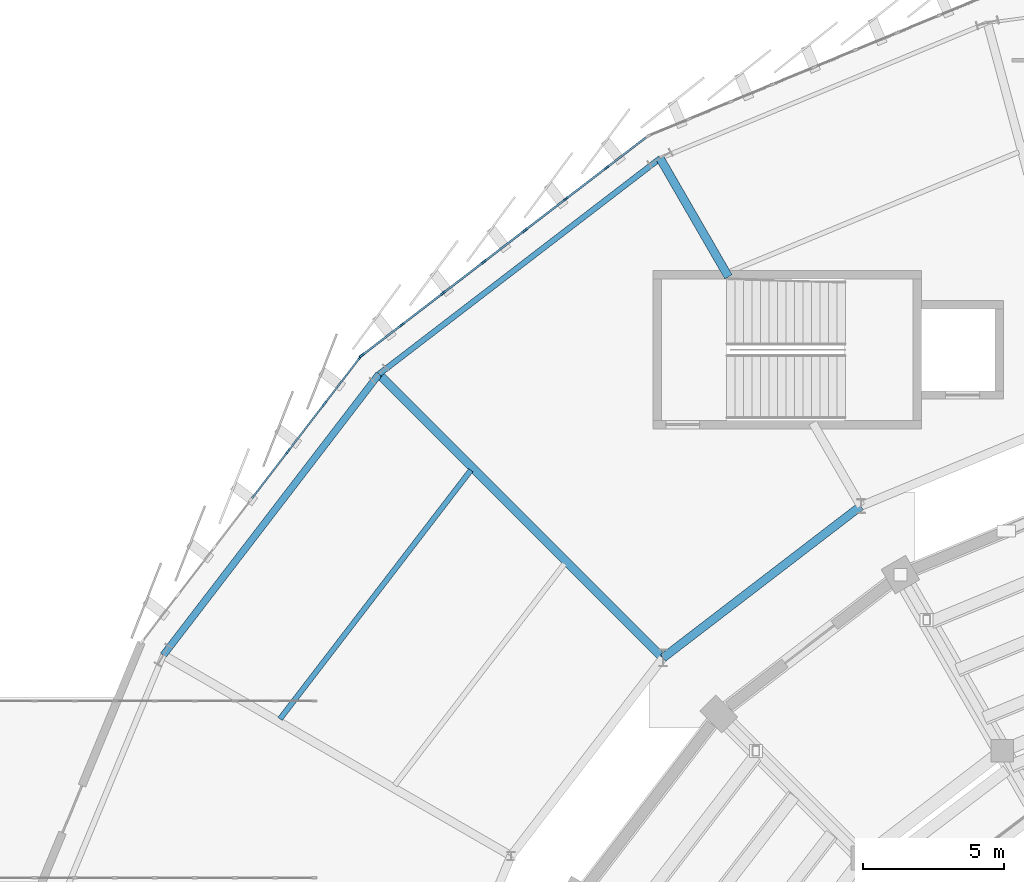
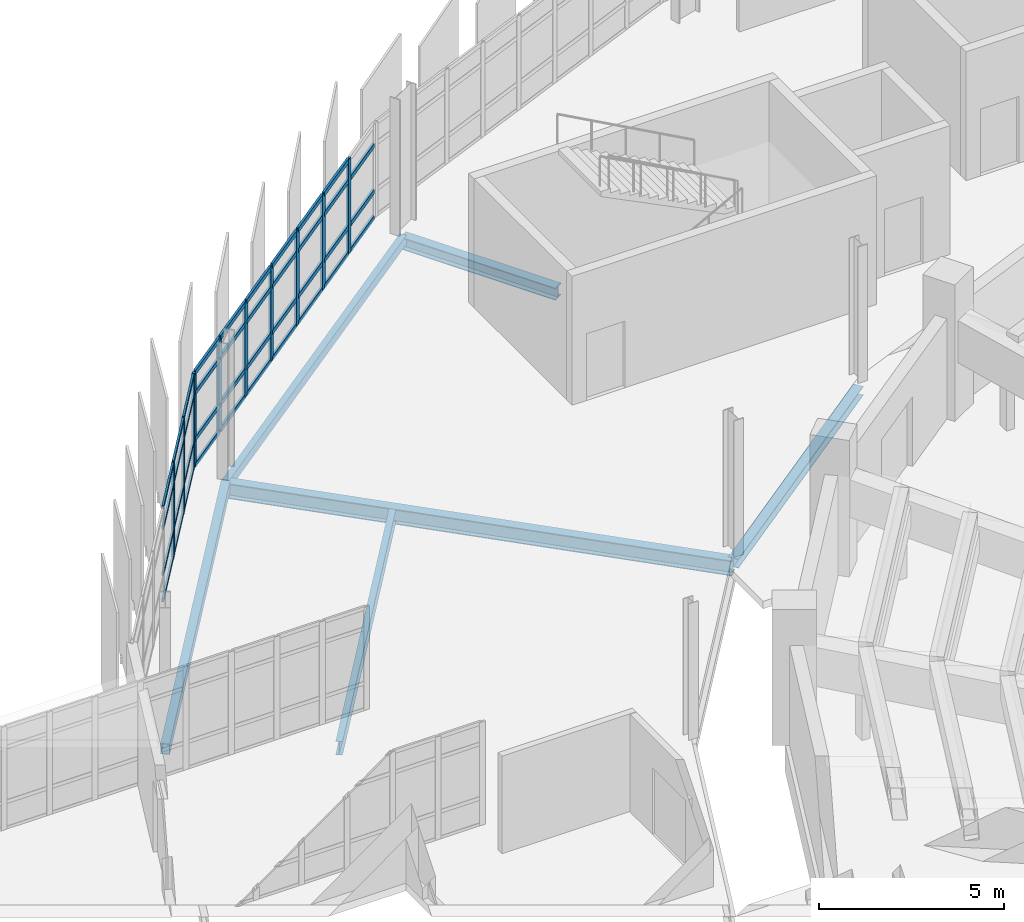
# One storey, part 47 of 120: 49 members, 6 beams, 2 elements without a shape of their own.
"""IFC4 building model written with IfcOpenShell, lengths in metres."""

from ifc_helpers import new_model, si_unit, direction, frame, origin, origin_2d, place, context, subcontext, project, spatial, rectangle, hollow_rectangle, i_section, extrude, material, layer, layer_set, material_profile, profile_set, type_object, element, aggregate, save


model = new_model("IFC4")

# Units and contexts
model_context = context("Model", 3, precision=1e-05, world=origin(), true_north=direction((0.0, 1.0)))
body_context = subcontext(model_context, "Body", "Model", "MODEL_VIEW")
ifc_project = project(units=[si_unit("LENGTHUNIT", "METRE"), si_unit("AREAUNIT", "SQUARE_METRE"), si_unit("VOLUMEUNIT", "CUBIC_METRE"), si_unit("PLANEANGLEUNIT", "RADIAN"), si_unit("MASSUNIT", "GRAM", prefix="KILO")], contexts=[model_context])

# Site, building, storey
site_placement = place(None, origin())
site = spatial("IfcSite", under=ifc_project, at=site_placement, CompositionType="ELEMENT")
building_placement = place(site_placement, origin())
building = spatial("IfcBuilding", under=site, at=building_placement, Name="Sohan Crest Arena", CompositionType="ELEMENT")
storey_placement = place(building_placement, frame((0.0, 0.0, 13.5)))
storey = spatial("IfcBuildingStorey", under=building, at=storey_placement, Name="L03", CompositionType="ELEMENT", Elevation=13.5)

# Curtain wall, members
ifc_material_1 = material(Name="Thermally broken anodised aluminium", Category="aluminium")
ifc_layer_1 = layer(ifc_material_1, 0.219970703125, Name="Thermally broken anodised aluminium")
ifc_layer_set_1 = layer_set([ifc_layer_1], Name="Thermally broken anodised aluminium")
curtain_wall_type_1 = type_object("IfcCurtainWallType", Name="ARC-CW03", PredefinedType="NOTDEFINED", material=ifc_layer_set_1)
curtain_wall_1_placement = place(storey_placement, origin())
curtain_wall_1 = element("IfcCurtainWall", 1, at=curtain_wall_1_placement, inside=storey, type_object=curtain_wall_type_1, Name="Unitised curtain wall CW-082", PredefinedType="NOTDEFINED")
ifc_material_profile_1 = material_profile(ifc_material_1, rectangle(XDim=0.070068359375, YDim=0.199951171875, at=origin_2d()), Name="ALU-MULL 70x200")
ifc_profile_set_1 = profile_set([ifc_material_profile_1], Name="Thermally broken anodised aluminium")
member_type_1 = type_object("IfcMemberType", Name="ARC-CW-ML03", PredefinedType="MULLION", material=ifc_profile_set_1)
member_1_placement = place(storey_placement, frame((72.10302734375, 119.23876953125, 0.0), z_axis=(0.0, 0.0, 1.0), x_axis=(0.608737381249, -0.793371792207, 0.0)))
member_1 = element("IfcMember", 2, at=member_1_placement, type_object=member_type_1, Name="CW-082 mullion 2", PredefinedType="MULLION", context=body_context, shape_type="SweptSolid", body=[
    extrude(rectangle(XDim=0.070068359375, YDim=0.199951171875, at=origin_2d()), origin(), (0.0, 0.0, 1.0), 3.1201171875),
])
member_2_placement = place(storey_placement, frame((70.65625, 118.128662109375, 0.0), z_axis=(0.0, 0.0, 1.0), x_axis=(0.608737381249, -0.793371792207, 0.0)))
member_2 = element("IfcMember", 3, at=member_2_placement, type_object=member_type_1, Name="CW-082 mullion 3", PredefinedType="MULLION", context=body_context, shape_type="SweptSolid", body=[
    extrude(rectangle(XDim=0.070068359375, YDim=0.199951171875, at=origin_2d()), origin(), (0.0, 0.0, 1.0), 3.1201171875),
])
member_3_placement = place(storey_placement, frame((69.20947265625, 117.0185546875, 0.0), z_axis=(0.0, 0.0, 1.0), x_axis=(0.608737381249, -0.793371792207, 0.0)))
member_3 = element("IfcMember", 4, at=member_3_placement, type_object=member_type_1, Name="CW-082 mullion 4", PredefinedType="MULLION", context=body_context, shape_type="SweptSolid", body=[
    extrude(rectangle(XDim=0.070068359375, YDim=0.199951171875, at=origin_2d()), origin(), (0.0, 0.0, 1.0), 3.1201171875),
])
member_4_placement = place(storey_placement, frame((67.762451171875, 115.908447265625, 0.0), z_axis=(0.0, 0.0, 1.0), x_axis=(0.608737381249, -0.793371792207, 0.0)))
member_4 = element("IfcMember", 5, at=member_4_placement, type_object=member_type_1, Name="CW-082 mullion 5", PredefinedType="MULLION", context=body_context, shape_type="SweptSolid", body=[
    extrude(rectangle(XDim=0.070068359375, YDim=0.199951171875, at=origin_2d()), origin(), (0.0, 0.0, 1.0), 3.1201171875),
])
member_5_placement = place(storey_placement, frame((66.315673828125, 114.79833984375, 0.0), z_axis=(0.0, 0.0, 1.0), x_axis=(0.608737381249, -0.793371792207, 0.0)))
member_5 = element("IfcMember", 6, at=member_5_placement, type_object=member_type_1, Name="CW-082 mullion 6", PredefinedType="MULLION", context=body_context, shape_type="SweptSolid", body=[
    extrude(rectangle(XDim=0.070068359375, YDim=0.199951171875, at=origin_2d()), origin(), (0.0, 0.0, 1.0), 3.1201171875),
])
member_6_placement = place(storey_placement, frame((64.868896484375, 113.688232421875, 0.0), z_axis=(0.0, 0.0, 1.0), x_axis=(0.608737381249, -0.793371792207, 0.0)))
member_6 = element("IfcMember", 7, at=member_6_placement, type_object=member_type_1, Name="CW-082 mullion 7", PredefinedType="MULLION", context=body_context, shape_type="SweptSolid", body=[
    extrude(rectangle(XDim=0.070068359375, YDim=0.199951171875, at=origin_2d()), origin(), (0.0, 0.0, 1.0), 3.1201171875),
])
member_7_placement = place(storey_placement, frame((63.44970703125, 112.599365234375, 0.0), z_axis=(0.0, 0.0, 1.0), x_axis=(0.608737381249, -0.793371792207, 0.0)))
member_7 = element("IfcMember", 8, at=member_7_placement, type_object=member_type_1, Name="CW-082 mullion 8", PredefinedType="MULLION", context=body_context, shape_type="SweptSolid", body=[
    extrude(rectangle(XDim=0.070068359375, YDim=0.199951171875, at=origin_2d()), origin(), (0.0, 0.0, 1.0), 3.1201171875),
])

ifc_layer_2 = layer(ifc_material_1, 0.239990234375, Name="Thermally broken anodised aluminium")
ifc_layer_set_2 = layer_set([ifc_layer_2], Name="Thermally broken anodised aluminium")
curtain_wall_type_2 = type_object("IfcCurtainWallType", Name="ARC-CW04", PredefinedType="NOTDEFINED", material=ifc_layer_set_2)
curtain_wall_2_placement = place(storey_placement, origin())
curtain_wall_2 = element("IfcCurtainWall", 9, at=curtain_wall_2_placement, inside=storey, type_object=curtain_wall_type_2, Name="Unitised curtain wall CW-083", PredefinedType="NOTDEFINED")
ifc_material_profile_2 = material_profile(ifc_material_1, rectangle(XDim=0.074951171875, YDim=0.219970703125, at=origin_2d()), Name="ALU-MULL 75x220")
ifc_profile_set_2 = profile_set([ifc_material_profile_2], Name="Thermally broken anodised aluminium")
member_type_2 = type_object("IfcMemberType", Name="ARC-CW-ML04", PredefinedType="MULLION", material=ifc_profile_set_2)
member_8_placement = place(storey_placement, frame((63.399169921875, 112.54833984375, 0.0), z_axis=(0.0, 0.0, 1.0), x_axis=(0.793371792207, -0.608737381249, 0.0)))
member_8 = element("IfcMember", 10, at=member_8_placement, type_object=member_type_2, Name="CW-083 mullion 1", PredefinedType="MULLION", context=body_context, shape_type="SweptSolid", body=[
    extrude(rectangle(XDim=0.074951171875, YDim=0.219970703125, at=origin_2d()), origin(), (0.0, 0.0, 1.0), 3.1201171875),
])
member_9_placement = place(storey_placement, frame((62.126953125, 110.889892578125, 0.0), z_axis=(0.0, 0.0, 1.0), x_axis=(0.793371792207, -0.608737381249, 0.0)))
member_9 = element("IfcMember", 11, at=member_9_placement, type_object=member_type_2, Name="CW-083 mullion 2", PredefinedType="MULLION", context=body_context, shape_type="SweptSolid", body=[
    extrude(rectangle(XDim=0.074951171875, YDim=0.219970703125, at=origin_2d()), origin(), (0.0, 0.0, 1.0), 3.1201171875),
])
member_10_placement = place(storey_placement, frame((60.831787109375, 109.201904296875, 0.0), z_axis=(0.0, 0.0, 1.0), x_axis=(0.793371792207, -0.608737381249, 0.0)))
member_10 = element("IfcMember", 12, at=member_10_placement, type_object=member_type_2, Name="CW-083 mullion 3", PredefinedType="MULLION", context=body_context, shape_type="SweptSolid", body=[
    extrude(rectangle(XDim=0.074951171875, YDim=0.219970703125, at=origin_2d()), origin(), (0.0, 0.0, 1.0), 3.1201171875),
])
ifc_material_profile_3 = material_profile(ifc_material_1, rectangle(XDim=0.06005859375, YDim=0.1201171875, at=origin_2d()), Name="ALU-TRAN 60x120")
ifc_profile_set_3 = profile_set([ifc_material_profile_3], Name="Thermally broken anodised aluminium")
member_type_3 = type_object("IfcMemberType", Name="ARC-CW-TR01", PredefinedType="USERDEFINED", material=ifc_profile_set_3)
member_11_placement = place(storey_placement, frame((63.37646484375, 112.5185546875, 0.030029296875), z_axis=(-0.608744315294, -0.793366471813, 0.0), x_axis=(0.793366471813, -0.608744315294, 0.0)))
member_11 = element("IfcMember", 13, at=member_11_placement, type_object=member_type_3, Name="CW-083 transom 1.1", ObjectType="TRANSOM", PredefinedType="USERDEFINED", context=body_context, shape_type="SweptSolid", body=[
    extrude(rectangle(XDim=0.06005859375, YDim=0.1201171875, at=origin_2d()), origin(), (0.0, 0.0, 1.0), 2.015380859375),
])
member_12_placement = place(storey_placement, frame((63.37646484375, 112.5185546875, 0.89990234375), z_axis=(-0.608744315294, -0.793366471813, 0.0), x_axis=(0.793366471813, -0.608744315294, 0.0)))
member_12 = element("IfcMember", 14, at=member_12_placement, type_object=member_type_3, Name="CW-083 transom 1.2", ObjectType="TRANSOM", PredefinedType="USERDEFINED", context=body_context, shape_type="SweptSolid", body=[
    extrude(rectangle(XDim=0.06005859375, YDim=0.1201171875, at=origin_2d()), origin(), (0.0, 0.0, 1.0), 2.015380859375),
])
member_13_placement = place(storey_placement, frame((63.37646484375, 112.5185546875, 2.419921875), z_axis=(-0.608744315294, -0.793366471813, 0.0), x_axis=(0.793366471813, -0.608744315294, 0.0)))
member_13 = element("IfcMember", 15, at=member_13_placement, type_object=member_type_3, Name="CW-083 transom 1.3", ObjectType="TRANSOM", PredefinedType="USERDEFINED", context=body_context, shape_type="SweptSolid", body=[
    extrude(rectangle(XDim=0.06005859375, YDim=0.1201171875, at=origin_2d()), origin(), (0.0, 0.0, 1.0), 2.015380859375),
])
member_14_placement = place(storey_placement, frame((63.37646484375, 112.5185546875, 3.090087890625), z_axis=(-0.608744315294, -0.793366471813, 0.0), x_axis=(0.793366471813, -0.608744315294, 0.0)))
member_14 = element("IfcMember", 16, at=member_14_placement, type_object=member_type_3, Name="CW-083 transom 1.4", ObjectType="TRANSOM", PredefinedType="USERDEFINED", context=body_context, shape_type="SweptSolid", body=[
    extrude(rectangle(XDim=0.06005859375, YDim=0.1201171875, at=origin_2d()), origin(), (0.0, 0.0, 1.0), 2.015380859375),
])
member_15_placement = place(storey_placement, frame((62.10400390625, 110.8603515625, 0.030029296875), z_axis=(-0.608698671298, -0.793401492033, 0.0), x_axis=(0.793401492033, -0.608698671298, 0.0)))
member_15 = element("IfcMember", 17, at=member_15_placement, type_object=member_type_3, Name="CW-083 transom 2.1", ObjectType="TRANSOM", PredefinedType="USERDEFINED", context=body_context, shape_type="SweptSolid", body=[
    extrude(rectangle(XDim=0.06005859375, YDim=0.1201171875, at=origin_2d()), origin(), (0.0, 0.0, 1.0), 2.052734375),
])
member_16_placement = place(storey_placement, frame((62.10400390625, 110.8603515625, 0.89990234375), z_axis=(-0.608698671298, -0.793401492033, 0.0), x_axis=(0.793401492033, -0.608698671298, 0.0)))
member_16 = element("IfcMember", 18, at=member_16_placement, type_object=member_type_3, Name="CW-083 transom 2.2", ObjectType="TRANSOM", PredefinedType="USERDEFINED", context=body_context, shape_type="SweptSolid", body=[
    extrude(rectangle(XDim=0.06005859375, YDim=0.1201171875, at=origin_2d()), origin(), (0.0, 0.0, 1.0), 2.052734375),
])
member_17_placement = place(storey_placement, frame((62.10400390625, 110.8603515625, 2.419921875), z_axis=(-0.608698671298, -0.793401492033, 0.0), x_axis=(0.793401492033, -0.608698671298, 0.0)))
member_17 = element("IfcMember", 19, at=member_17_placement, type_object=member_type_3, Name="CW-083 transom 2.3", ObjectType="TRANSOM", PredefinedType="USERDEFINED", context=body_context, shape_type="SweptSolid", body=[
    extrude(rectangle(XDim=0.06005859375, YDim=0.1201171875, at=origin_2d()), origin(), (0.0, 0.0, 1.0), 2.052734375),
])
member_18_placement = place(storey_placement, frame((62.10400390625, 110.8603515625, 3.090087890625), z_axis=(-0.608698671298, -0.793401492033, 0.0), x_axis=(0.793401492033, -0.608698671298, 0.0)))
member_18 = element("IfcMember", 20, at=member_18_placement, type_object=member_type_3, Name="CW-083 transom 2.4", ObjectType="TRANSOM", PredefinedType="USERDEFINED", context=body_context, shape_type="SweptSolid", body=[
    extrude(rectangle(XDim=0.06005859375, YDim=0.1201171875, at=origin_2d()), origin(), (0.0, 0.0, 1.0), 2.052734375),
])
member_19_placement = place(storey_placement, frame((60.808837890625, 109.17236328125, 0.030029296875), z_axis=(-0.608698671298, -0.793401492033, 0.0), x_axis=(0.793401492033, -0.608698671298, 0.0)))
member_19 = element("IfcMember", 21, at=member_19_placement, type_object=member_type_3, Name="CW-083 transom 3.1", ObjectType="TRANSOM", PredefinedType="USERDEFINED", context=body_context, shape_type="SweptSolid", body=[
    extrude(rectangle(XDim=0.06005859375, YDim=0.1201171875, at=origin_2d()), origin(), (0.0, 0.0, 1.0), 2.052734375),
])
member_20_placement = place(storey_placement, frame((60.808837890625, 109.17236328125, 0.89990234375), z_axis=(-0.608698671298, -0.793401492033, 0.0), x_axis=(0.793401492033, -0.608698671298, 0.0)))
member_20 = element("IfcMember", 22, at=member_20_placement, type_object=member_type_3, Name="CW-083 transom 3.2", ObjectType="TRANSOM", PredefinedType="USERDEFINED", context=body_context, shape_type="SweptSolid", body=[
    extrude(rectangle(XDim=0.06005859375, YDim=0.1201171875, at=origin_2d()), origin(), (0.0, 0.0, 1.0), 2.052734375),
])
member_21_placement = place(storey_placement, frame((60.808837890625, 109.17236328125, 2.419921875), z_axis=(-0.608698671298, -0.793401492033, 0.0), x_axis=(0.793401492033, -0.608698671298, 0.0)))
member_21 = element("IfcMember", 23, at=member_21_placement, type_object=member_type_3, Name="CW-083 transom 3.3", ObjectType="TRANSOM", PredefinedType="USERDEFINED", context=body_context, shape_type="SweptSolid", body=[
    extrude(rectangle(XDim=0.06005859375, YDim=0.1201171875, at=origin_2d()), origin(), (0.0, 0.0, 1.0), 2.052734375),
])
member_22_placement = place(storey_placement, frame((60.808837890625, 109.17236328125, 3.090087890625), z_axis=(-0.608698671298, -0.793401492033, 0.0), x_axis=(0.793401492033, -0.608698671298, 0.0)))
member_22 = element("IfcMember", 24, at=member_22_placement, type_object=member_type_3, Name="CW-083 transom 3.4", ObjectType="TRANSOM", PredefinedType="USERDEFINED", context=body_context, shape_type="SweptSolid", body=[
    extrude(rectangle(XDim=0.06005859375, YDim=0.1201171875, at=origin_2d()), origin(), (0.0, 0.0, 1.0), 2.052734375),
])
aggregate(curtain_wall_2, [member_8, member_9, member_10, member_11, member_12, member_13, member_14, member_15, member_16, member_17, member_18, member_19, member_20, member_21, member_22])

# Member
ifc_material_profile_4 = material_profile(ifc_material_1, rectangle(XDim=0.070068359375, YDim=0.14990234375, at=origin_2d()), Name="ALU-TRAN 70x150")
ifc_profile_set_4 = profile_set([ifc_material_profile_4], Name="Thermally broken anodised aluminium")
member_type_4 = type_object("IfcMemberType", Name="ARC-CW-TR03", PredefinedType="USERDEFINED", material=ifc_profile_set_4)
member_23_placement = place(storey_placement, frame((73.494384765625, 120.306396484375, 0.034912109375), z_axis=(-0.793389099494, -0.608714823874, 0.0), x_axis=(0.608714823874, -0.793389099494, 0.0)))
member_23 = element("IfcMember", 25, at=member_23_placement, type_object=member_type_4, Name="CW-082 transom 1.1", ObjectType="TRANSOM", PredefinedType="USERDEFINED", context=body_context, shape_type="SweptSolid", body=[
    extrude(rectangle(XDim=0.070068359375, YDim=0.14990234375, at=origin_2d()), origin(), (0.0, 0.0, 1.0), 1.718505859375),
])

member_24_placement = place(storey_placement, frame((73.494384765625, 120.306396484375, 0.89990234375), z_axis=(-0.793389099494, -0.608714823874, 0.0), x_axis=(0.608714823874, -0.793389099494, 0.0)))
member_24 = element("IfcMember", 26, at=member_24_placement, type_object=member_type_4, Name="CW-082 transom 1.2", ObjectType="TRANSOM", PredefinedType="USERDEFINED", context=body_context, shape_type="SweptSolid", body=[
    extrude(rectangle(XDim=0.070068359375, YDim=0.14990234375, at=origin_2d()), origin(), (0.0, 0.0, 1.0), 1.718505859375),
])

member_25_placement = place(storey_placement, frame((73.494384765625, 120.306396484375, 2.419921875), z_axis=(-0.793389099494, -0.608714823874, 0.0), x_axis=(0.608714823874, -0.793389099494, 0.0)))
member_25 = element("IfcMember", 27, at=member_25_placement, type_object=member_type_4, Name="CW-082 transom 1.3", ObjectType="TRANSOM", PredefinedType="USERDEFINED", context=body_context, shape_type="SweptSolid", body=[
    extrude(rectangle(XDim=0.070068359375, YDim=0.14990234375, at=origin_2d()), origin(), (0.0, 0.0, 1.0), 1.718505859375),
])

member_26_placement = place(storey_placement, frame((72.075439453125, 119.217529296875, 0.034912109375), z_axis=(-0.793353105278, -0.608761735284, 0.0), x_axis=(0.608761735284, -0.793353105278, 0.0)))
member_26 = element("IfcMember", 28, at=member_26_placement, type_object=member_type_4, Name="CW-082 transom 2.1", ObjectType="TRANSOM", PredefinedType="USERDEFINED", context=body_context, shape_type="SweptSolid", body=[
    extrude(rectangle(XDim=0.070068359375, YDim=0.14990234375, at=origin_2d()), origin(), (0.0, 0.0, 1.0), 1.753662109375),
])

member_27_placement = place(storey_placement, frame((72.075439453125, 119.217529296875, 0.89990234375), z_axis=(-0.793353105278, -0.608761735284, 0.0), x_axis=(0.608761735284, -0.793353105278, 0.0)))
member_27 = element("IfcMember", 29, at=member_27_placement, type_object=member_type_4, Name="CW-082 transom 2.2", ObjectType="TRANSOM", PredefinedType="USERDEFINED", context=body_context, shape_type="SweptSolid", body=[
    extrude(rectangle(XDim=0.070068359375, YDim=0.14990234375, at=origin_2d()), origin(), (0.0, 0.0, 1.0), 1.753662109375),
])

member_28_placement = place(storey_placement, frame((72.075439453125, 119.217529296875, 2.419921875), z_axis=(-0.793353105278, -0.608761735284, 0.0), x_axis=(0.608761735284, -0.793353105278, 0.0)))
member_28 = element("IfcMember", 30, at=member_28_placement, type_object=member_type_4, Name="CW-082 transom 2.3", ObjectType="TRANSOM", PredefinedType="USERDEFINED", context=body_context, shape_type="SweptSolid", body=[
    extrude(rectangle(XDim=0.070068359375, YDim=0.14990234375, at=origin_2d()), origin(), (0.0, 0.0, 1.0), 1.753662109375),
])

member_29_placement = place(storey_placement, frame((72.075439453125, 119.217529296875, 3.0849609375), z_axis=(-0.793353105278, -0.608761735284, 0.0), x_axis=(0.608761735284, -0.793353105278, 0.0)))
member_29 = element("IfcMember", 31, at=member_29_placement, type_object=member_type_4, Name="CW-082 transom 2.4", ObjectType="TRANSOM", PredefinedType="USERDEFINED", context=body_context, shape_type="SweptSolid", body=[
    extrude(rectangle(XDim=0.070068359375, YDim=0.14990234375, at=origin_2d()), origin(), (0.0, 0.0, 1.0), 1.753662109375),
])

member_30_placement = place(storey_placement, frame((70.62841796875, 118.107421875, 0.034912109375), z_axis=(-0.793301507083, -0.608828973407, 0.0), x_axis=(0.608828973407, -0.793301507083, 0.0)))
member_30 = element("IfcMember", 32, at=member_30_placement, type_object=member_type_4, Name="CW-082 transom 3.1", ObjectType="TRANSOM", PredefinedType="USERDEFINED", context=body_context, shape_type="SweptSolid", body=[
    extrude(rectangle(XDim=0.070068359375, YDim=0.14990234375, at=origin_2d()), origin(), (0.0, 0.0, 1.0), 1.753662109375),
])

member_31_placement = place(storey_placement, frame((70.62841796875, 118.107421875, 0.89990234375), z_axis=(-0.793301507083, -0.608828973407, 0.0), x_axis=(0.608828973407, -0.793301507083, 0.0)))
member_31 = element("IfcMember", 33, at=member_31_placement, type_object=member_type_4, Name="CW-082 transom 3.2", ObjectType="TRANSOM", PredefinedType="USERDEFINED", context=body_context, shape_type="SweptSolid", body=[
    extrude(rectangle(XDim=0.070068359375, YDim=0.14990234375, at=origin_2d()), origin(), (0.0, 0.0, 1.0), 1.753662109375),
])

member_32_placement = place(storey_placement, frame((70.62841796875, 118.107421875, 2.419921875), z_axis=(-0.793301507083, -0.608828973407, 0.0), x_axis=(0.608828973407, -0.793301507083, 0.0)))
member_32 = element("IfcMember", 34, at=member_32_placement, type_object=member_type_4, Name="CW-082 transom 3.3", ObjectType="TRANSOM", PredefinedType="USERDEFINED", context=body_context, shape_type="SweptSolid", body=[
    extrude(rectangle(XDim=0.070068359375, YDim=0.14990234375, at=origin_2d()), origin(), (0.0, 0.0, 1.0), 1.753662109375),
])

member_33_placement = place(storey_placement, frame((70.62841796875, 118.107421875, 3.0849609375), z_axis=(-0.793301507083, -0.608828973407, 0.0), x_axis=(0.608828973407, -0.793301507083, 0.0)))
member_33 = element("IfcMember", 35, at=member_33_placement, type_object=member_type_4, Name="CW-082 transom 3.4", ObjectType="TRANSOM", PredefinedType="USERDEFINED", context=body_context, shape_type="SweptSolid", body=[
    extrude(rectangle(XDim=0.070068359375, YDim=0.14990234375, at=origin_2d()), origin(), (0.0, 0.0, 1.0), 1.753662109375),
])

member_34_placement = place(storey_placement, frame((69.181640625, 116.997314453125, 0.034912109375), z_axis=(-0.793353105278, -0.608761735284, 0.0), x_axis=(0.608761735284, -0.793353105278, 0.0)))
member_34 = element("IfcMember", 36, at=member_34_placement, type_object=member_type_4, Name="CW-082 transom 4.1", ObjectType="TRANSOM", PredefinedType="USERDEFINED", context=body_context, shape_type="SweptSolid", body=[
    extrude(rectangle(XDim=0.070068359375, YDim=0.14990234375, at=origin_2d()), origin(), (0.0, 0.0, 1.0), 1.753662109375),
])

member_35_placement = place(storey_placement, frame((69.181640625, 116.997314453125, 0.89990234375), z_axis=(-0.793353105278, -0.608761735284, 0.0), x_axis=(0.608761735284, -0.793353105278, 0.0)))
member_35 = element("IfcMember", 37, at=member_35_placement, type_object=member_type_4, Name="CW-082 transom 4.2", ObjectType="TRANSOM", PredefinedType="USERDEFINED", context=body_context, shape_type="SweptSolid", body=[
    extrude(rectangle(XDim=0.070068359375, YDim=0.14990234375, at=origin_2d()), origin(), (0.0, 0.0, 1.0), 1.753662109375),
])

member_36_placement = place(storey_placement, frame((69.181640625, 116.997314453125, 2.419921875), z_axis=(-0.793353105278, -0.608761735284, 0.0), x_axis=(0.608761735284, -0.793353105278, 0.0)))
member_36 = element("IfcMember", 38, at=member_36_placement, type_object=member_type_4, Name="CW-082 transom 4.3", ObjectType="TRANSOM", PredefinedType="USERDEFINED", context=body_context, shape_type="SweptSolid", body=[
    extrude(rectangle(XDim=0.070068359375, YDim=0.14990234375, at=origin_2d()), origin(), (0.0, 0.0, 1.0), 1.753662109375),
])

member_37_placement = place(storey_placement, frame((69.181640625, 116.997314453125, 3.0849609375), z_axis=(-0.793353105278, -0.608761735284, 0.0), x_axis=(0.608761735284, -0.793353105278, 0.0)))
member_37 = element("IfcMember", 39, at=member_37_placement, type_object=member_type_4, Name="CW-082 transom 4.4", ObjectType="TRANSOM", PredefinedType="USERDEFINED", context=body_context, shape_type="SweptSolid", body=[
    extrude(rectangle(XDim=0.070068359375, YDim=0.14990234375, at=origin_2d()), origin(), (0.0, 0.0, 1.0), 1.753662109375),
])

member_38_placement = place(storey_placement, frame((67.73486328125, 115.88720703125, 0.034912109375), z_axis=(-0.793353105278, -0.608761735284, 0.0), x_axis=(0.608761735284, -0.793353105278, 0.0)))
member_38 = element("IfcMember", 40, at=member_38_placement, type_object=member_type_4, Name="CW-082 transom 5.1", ObjectType="TRANSOM", PredefinedType="USERDEFINED", context=body_context, shape_type="SweptSolid", body=[
    extrude(rectangle(XDim=0.070068359375, YDim=0.14990234375, at=origin_2d()), origin(), (0.0, 0.0, 1.0), 1.753662109375),
])

member_39_placement = place(storey_placement, frame((67.73486328125, 115.88720703125, 0.89990234375), z_axis=(-0.793353105278, -0.608761735284, 0.0), x_axis=(0.608761735284, -0.793353105278, 0.0)))
member_39 = element("IfcMember", 41, at=member_39_placement, type_object=member_type_4, Name="CW-082 transom 5.2", ObjectType="TRANSOM", PredefinedType="USERDEFINED", context=body_context, shape_type="SweptSolid", body=[
    extrude(rectangle(XDim=0.070068359375, YDim=0.14990234375, at=origin_2d()), origin(), (0.0, 0.0, 1.0), 1.753662109375),
])

member_40_placement = place(storey_placement, frame((67.73486328125, 115.88720703125, 2.419921875), z_axis=(-0.793353105278, -0.608761735284, 0.0), x_axis=(0.608761735284, -0.793353105278, 0.0)))
member_40 = element("IfcMember", 42, at=member_40_placement, type_object=member_type_4, Name="CW-082 transom 5.3", ObjectType="TRANSOM", PredefinedType="USERDEFINED", context=body_context, shape_type="SweptSolid", body=[
    extrude(rectangle(XDim=0.070068359375, YDim=0.14990234375, at=origin_2d()), origin(), (0.0, 0.0, 1.0), 1.753662109375),
])

member_41_placement = place(storey_placement, frame((67.73486328125, 115.88720703125, 3.0849609375), z_axis=(-0.793353105278, -0.608761735284, 0.0), x_axis=(0.608761735284, -0.793353105278, 0.0)))
member_41 = element("IfcMember", 43, at=member_41_placement, type_object=member_type_4, Name="CW-082 transom 5.4", ObjectType="TRANSOM", PredefinedType="USERDEFINED", context=body_context, shape_type="SweptSolid", body=[
    extrude(rectangle(XDim=0.070068359375, YDim=0.14990234375, at=origin_2d()), origin(), (0.0, 0.0, 1.0), 1.753662109375),
])

member_42_placement = place(storey_placement, frame((66.287841796875, 114.777099609375, 0.034912109375), z_axis=(-0.793301507083, -0.608828973407, 0.0), x_axis=(0.608828973407, -0.793301507083, 0.0)))
member_42 = element("IfcMember", 44, at=member_42_placement, type_object=member_type_4, Name="CW-082 transom 6.1", ObjectType="TRANSOM", PredefinedType="USERDEFINED", context=body_context, shape_type="SweptSolid", body=[
    extrude(rectangle(XDim=0.070068359375, YDim=0.14990234375, at=origin_2d()), origin(), (0.0, 0.0, 1.0), 1.753662109375),
])

member_43_placement = place(storey_placement, frame((66.287841796875, 114.777099609375, 0.89990234375), z_axis=(-0.793301507083, -0.608828973407, 0.0), x_axis=(0.608828973407, -0.793301507083, 0.0)))
member_43 = element("IfcMember", 45, at=member_43_placement, type_object=member_type_4, Name="CW-082 transom 6.2", ObjectType="TRANSOM", PredefinedType="USERDEFINED", context=body_context, shape_type="SweptSolid", body=[
    extrude(rectangle(XDim=0.070068359375, YDim=0.14990234375, at=origin_2d()), origin(), (0.0, 0.0, 1.0), 1.753662109375),
])

member_44_placement = place(storey_placement, frame((66.287841796875, 114.777099609375, 2.419921875), z_axis=(-0.793301507083, -0.608828973407, 0.0), x_axis=(0.608828973407, -0.793301507083, 0.0)))
member_44 = element("IfcMember", 46, at=member_44_placement, type_object=member_type_4, Name="CW-082 transom 6.3", ObjectType="TRANSOM", PredefinedType="USERDEFINED", context=body_context, shape_type="SweptSolid", body=[
    extrude(rectangle(XDim=0.070068359375, YDim=0.14990234375, at=origin_2d()), origin(), (0.0, 0.0, 1.0), 1.753662109375),
])

member_45_placement = place(storey_placement, frame((66.287841796875, 114.777099609375, 3.0849609375), z_axis=(-0.793301507083, -0.608828973407, 0.0), x_axis=(0.608828973407, -0.793301507083, 0.0)))
member_45 = element("IfcMember", 47, at=member_45_placement, type_object=member_type_4, Name="CW-082 transom 6.4", ObjectType="TRANSOM", PredefinedType="USERDEFINED", context=body_context, shape_type="SweptSolid", body=[
    extrude(rectangle(XDim=0.070068359375, YDim=0.14990234375, at=origin_2d()), origin(), (0.0, 0.0, 1.0), 1.753662109375),
])

member_46_placement = place(storey_placement, frame((64.841064453125, 113.666748046875, 0.034912109375), z_axis=(-0.793389099494, -0.608714823874, 0.0), x_axis=(0.608714823874, -0.793389099494, 0.0)))
member_46 = element("IfcMember", 48, at=member_46_placement, type_object=member_type_4, Name="CW-082 transom 7.1", ObjectType="TRANSOM", PredefinedType="USERDEFINED", context=body_context, shape_type="SweptSolid", body=[
    extrude(rectangle(XDim=0.070068359375, YDim=0.14990234375, at=origin_2d()), origin(), (0.0, 0.0, 1.0), 1.718505859375),
])

member_47_placement = place(storey_placement, frame((64.841064453125, 113.666748046875, 0.89990234375), z_axis=(-0.793389099494, -0.608714823874, 0.0), x_axis=(0.608714823874, -0.793389099494, 0.0)))
member_47 = element("IfcMember", 49, at=member_47_placement, type_object=member_type_4, Name="CW-082 transom 7.2", ObjectType="TRANSOM", PredefinedType="USERDEFINED", context=body_context, shape_type="SweptSolid", body=[
    extrude(rectangle(XDim=0.070068359375, YDim=0.14990234375, at=origin_2d()), origin(), (0.0, 0.0, 1.0), 1.718505859375),
])

member_48_placement = place(storey_placement, frame((64.841064453125, 113.666748046875, 2.419921875), z_axis=(-0.793389099494, -0.608714823874, 0.0), x_axis=(0.608714823874, -0.793389099494, 0.0)))
member_48 = element("IfcMember", 50, at=member_48_placement, type_object=member_type_4, Name="CW-082 transom 7.3", ObjectType="TRANSOM", PredefinedType="USERDEFINED", context=body_context, shape_type="SweptSolid", body=[
    extrude(rectangle(XDim=0.070068359375, YDim=0.14990234375, at=origin_2d()), origin(), (0.0, 0.0, 1.0), 1.718505859375),
])

member_49_placement = place(storey_placement, frame((64.841064453125, 113.666748046875, 3.0849609375), z_axis=(-0.793389099494, -0.608714823874, 0.0), x_axis=(0.608714823874, -0.793389099494, 0.0)))
member_49 = element("IfcMember", 51, at=member_49_placement, type_object=member_type_4, Name="CW-082 transom 7.4", ObjectType="TRANSOM", PredefinedType="USERDEFINED", context=body_context, shape_type="SweptSolid", body=[
    extrude(rectangle(XDim=0.070068359375, YDim=0.14990234375, at=origin_2d()), origin(), (0.0, 0.0, 1.0), 1.718505859375),
])

aggregate(curtain_wall_1, [member_1, member_2, member_3, member_4, member_5, member_6, member_7, member_23, member_24, member_25, member_26, member_27, member_28, member_29, member_30, member_31, member_32, member_33, member_34, member_35, member_36, member_37, member_38, member_39, member_40, member_41, member_42, member_43, member_44, member_45, member_46, member_47, member_48, member_49])

# Beams
ifc_material_2 = material(Name="Steel S355", Category="steel")
ifc_material_profile_5 = material_profile(ifc_material_2, i_section(OverallWidth=0.18994140625, OverallDepth=0.449951171875, WebThickness=0.009521484375, FlangeThickness=0.0146484375, at=origin_2d()), Name="IPE 450")
ifc_profile_set_5 = profile_set([ifc_material_profile_5], Name="Steel S355")
beam_type_1 = type_object("IfcBeamType", Name="STR-BM-B04", PredefinedType="JOIST", material=ifc_profile_set_5)
beam_1_placement = place(storey_placement, frame((67.305908203125, 108.5400390625, -0.47509765625), z_axis=(-0.608788813613, -0.793332326594, 0.0), x_axis=(0.793332326594, -0.608788813613, 0.0)))
element("IfcBeam", 52, at=beam_1_placement, inside=storey, type_object=beam_type_1, Name="Structural beam J-L03-1415", PredefinedType="JOIST", context=body_context, shape_type="SweptSolid", body=[
    extrude(i_section(OverallWidth=0.18994140625, OverallDepth=0.449951171875, WebThickness=0.009521484375, FlangeThickness=0.0146484375, at=origin_2d()), origin(), (0.0, 0.0, 1.0), 11.087646484375),
])
ifc_material_profile_6 = material_profile(ifc_material_2, i_section(OverallWidth=0.300048828125, OverallDepth=0.300048828125, WebThickness=0.010986328125, FlangeThickness=0.01904296875, at=origin_2d()), Name="HEB 300")
ifc_profile_set_6 = profile_set([ifc_material_profile_6], Name="Steel S355")
beam_type_2 = type_object("IfcBeamType", Name="STR-BM-B12", PredefinedType="BEAM", material=ifc_profile_set_6)
beam_2_placement = place(storey_placement, frame((81.10009765625, 107.27197265625, -0.39990234375), z_axis=(-0.793310569192, -0.608817165336, 0.0), x_axis=(0.608817165336, -0.793310569192, 0.0)))
element("IfcBeam", 53, at=beam_2_placement, inside=storey, type_object=beam_type_2, Name="Structural beam G-L03-1409", PredefinedType="BEAM", context=body_context, shape_type="SweptSolid", body=[
    extrude(i_section(OverallWidth=0.300048828125, OverallDepth=0.300048828125, WebThickness=0.010986328125, FlangeThickness=0.01904296875, at=origin_2d()), origin(), (0.0, 0.0, 1.0), 8.82373046875),
])
ifc_material_profile_7 = material_profile(ifc_material_2, i_section(OverallWidth=0.300048828125, OverallDepth=0.39990234375, WebThickness=0.013427734375, FlangeThickness=0.02392578125, at=origin_2d()), Name="HEB 400")
ifc_profile_set_7 = profile_set([ifc_material_profile_7], Name="Steel S355")
beam_type_3 = type_object("IfcBeamType", Name="STR-BM-B13", PredefinedType="BEAM", material=ifc_profile_set_7)
beam_3_placement = place(storey_placement, frame((76.4189453125, 115.3798828125, -0.449951171875), z_axis=(-0.500047190239, 0.865998156773, 0.0), x_axis=(-0.865998156773, -0.500047190239, 0.0)))
element("IfcBeam", 54, at=beam_3_placement, inside=storey, type_object=beam_type_3, Name="Structural beam G-L03-1408", PredefinedType="BEAM", context=body_context, shape_type="SweptSolid", body=[
    extrude(i_section(OverallWidth=0.300048828125, OverallDepth=0.39990234375, WebThickness=0.013427734375, FlangeThickness=0.02392578125, at=origin_2d()), origin(), (0.0, 0.0, 1.0), 4.83740234375),
])
ifc_material_profile_8 = material_profile(ifc_material_2, i_section(OverallWidth=0.300048828125, OverallDepth=0.5, WebThickness=0.014404296875, FlangeThickness=0.028076171875, at=origin_2d()), Name="HEB 500")
ifc_profile_set_8 = profile_set([ifc_material_profile_8], Name="Steel S355")
beam_type_4 = type_object("IfcBeamType", Name="STR-BM-B14", PredefinedType="BEAM", material=ifc_profile_set_8)
beam_4_placement = place(storey_placement, frame((74.10009765625, 101.89990234375, -0.5), z_axis=(-0.707106781187, 0.707106781187, 0.0), x_axis=(-0.707106781187, -0.707106781187, 0.0)))
element("IfcBeam", 55, at=beam_4_placement, inside=storey, type_object=beam_type_4, Name="Structural beam G-L03-1411", PredefinedType="BEAM", context=body_context, shape_type="SweptSolid", body=[
    extrude(i_section(OverallWidth=0.300048828125, OverallDepth=0.5, WebThickness=0.014404296875, FlangeThickness=0.028076171875, at=origin_2d()), origin(), (0.0, 0.0, 1.0), 14.2001953125),
])
ifc_material_profile_9 = material_profile(ifc_material_2, hollow_rectangle(XDim=0.199951171875, YDim=0.300048828125, WallThickness=0.010009765625, at=origin_2d()), Name="RHS 300x200x10")
ifc_profile_set_9 = profile_set([ifc_material_profile_9], Name="Steel S355")
beam_type_5 = type_object("IfcBeamType", Name="STR-BM-SP03", PredefinedType="SPANDREL", material=ifc_profile_set_9)
beam_5_placement = place(storey_placement, frame((74.0, 119.569091796875, -0.39990234375), z_axis=(-0.793344121205, -0.608773443368, 0.0), x_axis=(0.608773443368, -0.793344121205, 0.0)))
element("IfcBeam", 56, at=beam_5_placement, inside=storey, type_object=beam_type_5, Name="Structural beam SP-L03-1410", PredefinedType="SPANDREL", context=body_context, shape_type="SweptSolid", body=[
    extrude(hollow_rectangle(XDim=0.199951171875, YDim=0.300048828125, WallThickness=0.010009765625, at=origin_2d()), origin(), (0.0, 0.0, 1.0), 12.530517578125),
])
ifc_material_profile_10 = material_profile(ifc_material_2, hollow_rectangle(XDim=0.25, YDim=0.35009765625, WallThickness=0.012451171875, at=origin_2d()), Name="RHS 350x250x12.5")
ifc_profile_set_10 = profile_set([ifc_material_profile_10], Name="Steel S355")
beam_type_6 = type_object("IfcBeamType", Name="STR-BM-SP04", PredefinedType="SPANDREL", material=ifc_profile_set_10)
beam_6_placement = place(storey_placement, frame((64.05908203125, 111.94091796875, -0.425048828125), z_axis=(-0.608773443368, -0.793344121205, 0.0), x_axis=(0.793344121205, -0.608773443368, 0.0)))
element("IfcBeam", 57, at=beam_6_placement, inside=storey, type_object=beam_type_6, Name="Structural beam SP-L03-1413", PredefinedType="SPANDREL", context=body_context, shape_type="SweptSolid", body=[
    extrude(hollow_rectangle(XDim=0.25, YDim=0.35009765625, WallThickness=0.012451171875, at=origin_2d()), origin(), (0.0, 0.0, 1.0), 12.530517578125),
])

save(model, "model.ifc")
